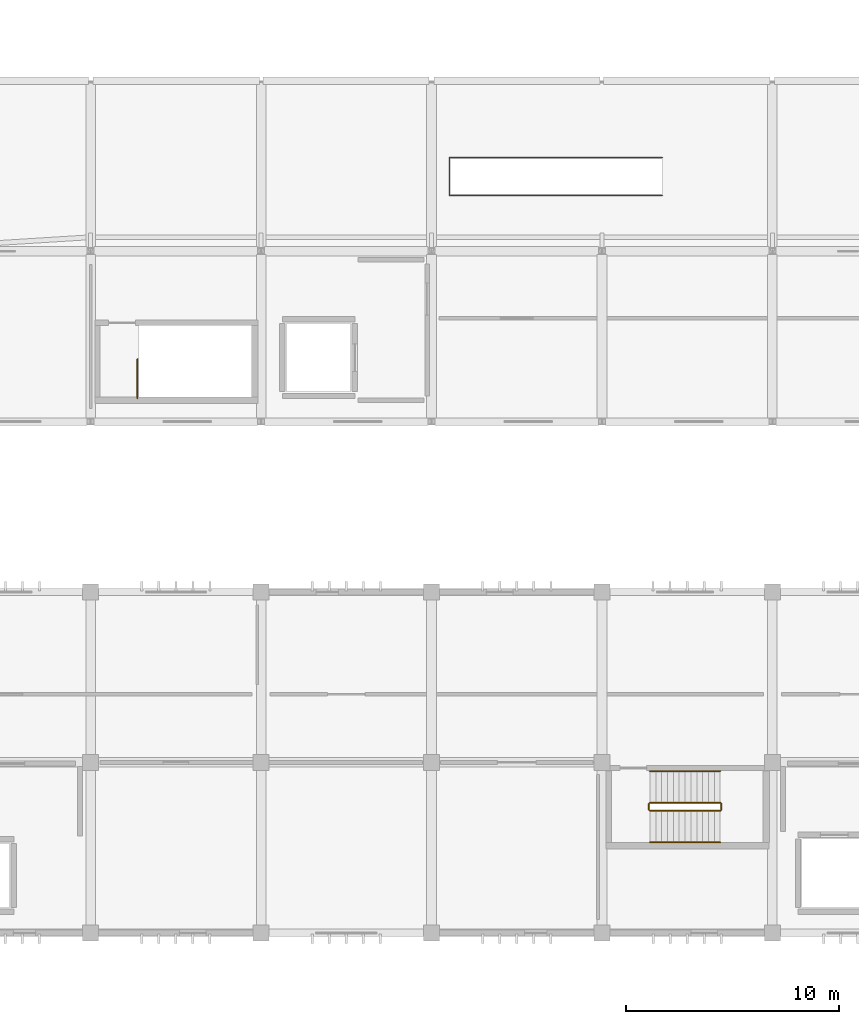
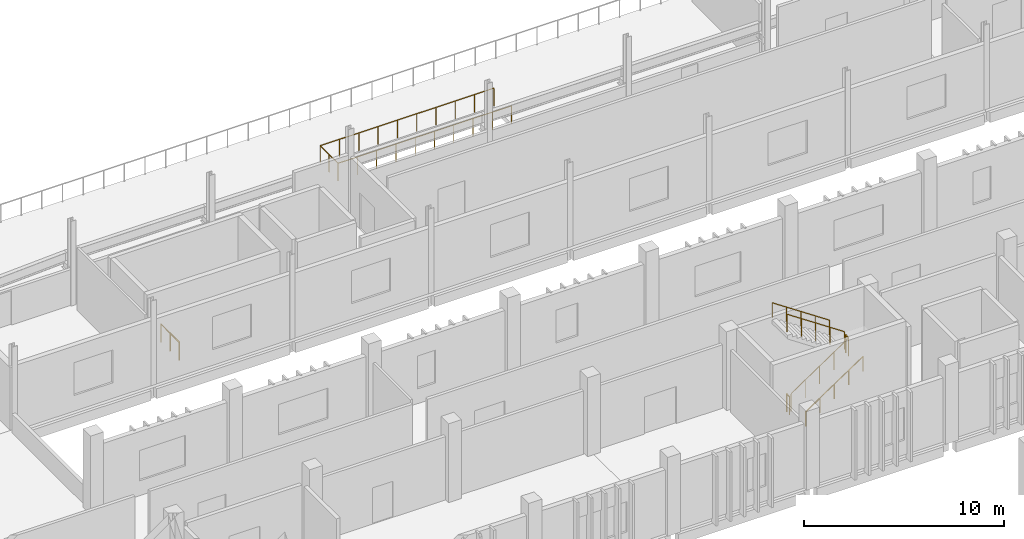
# One storey, part 103 of 106: 8 railings.
"""IFC4 building model written with IfcOpenShell, lengths in metres."""

from ifc_helpers import new_model, si_unit, direction, frame, origin, origin_2d, place, context, subcontext, project, spatial, circle, extrude, material, type_object, element, save


model = new_model("IFC4")

# Units and contexts
model_context = context("Model", 3, precision=1e-05, world=origin(), true_north=direction((0.0, 1.0)))
body_context = subcontext(model_context, "Body", "Model", "MODEL_VIEW")
ifc_project = project(units=[si_unit("LENGTHUNIT", "METRE"), si_unit("AREAUNIT", "SQUARE_METRE"), si_unit("VOLUMEUNIT", "CUBIC_METRE"), si_unit("PLANEANGLEUNIT", "RADIAN"), si_unit("MASSUNIT", "GRAM", prefix="KILO")], contexts=[model_context])

# Site, building, storey
site_placement = place(None, origin())
site = spatial("IfcSite", under=ifc_project, at=site_placement, CompositionType="ELEMENT")
building_placement = place(site_placement, origin())
building = spatial("IfcBuilding", under=site, at=building_placement, Name="Jelvoka-Kovrelna Polytechnic", CompositionType="ELEMENT")
storey_placement = place(building_placement, frame((0.0, 0.0, 4.800048828125)))
storey = spatial("IfcBuildingStorey", under=building, at=storey_placement, Name="L02", CompositionType="ELEMENT", Elevation=4.800048828125)

# Railings
ifc_material_1 = material(Name="Powder-coated steel stair guard", Category="steel")
railing_type_1 = type_object("IfcRailingType", Name="Railing_Stair_Guard_1100", PredefinedType="GUARDRAIL", material=ifc_material_1)
railing_1_placement = place(storey_placement, frame((98.199951171875, 81.10009765625, 0.0)))
element("IfcRailing", 1, at=railing_1_placement, inside=storey, type_object=railing_type_1, Name="L02 ST01 top well guard 1", PredefinedType="GUARDRAIL", context=body_context, shape_type="SweptSolid", body=[
    extrude(circle(Radius=0.02392578125, at=origin_2d()), frame((0.0, 0.0, 1.076171875), z_axis=(0.0, 1.0, 0.0), x_axis=(-1.0, 0.0, 0.0)), (0.0, 0.0, 1.0), 1.81982421875),
    extrude(circle(Radius=0.02099609375, at=origin_2d()), origin(), (0.0, 0.0, 1.0), 1.052001953125),
    extrude(circle(Radius=0.02099609375, at=origin_2d()), frame((0.0, 0.909912109375, 0.0)), (0.0, 0.0, 1.0), 1.052001953125),
    extrude(circle(Radius=0.02099609375, at=origin_2d()), frame((0.0, 1.81982421875, 0.0)), (0.0, 0.0, 1.0), 1.052001953125),
])
railing_2_placement = place(storey_placement, frame((122.25, 61.72998046875, 0.1845703125)))
element("IfcRailing", 2, at=railing_2_placement, inside=storey, type_object=railing_type_1, Name="L02 ST11 stair guard 1", PredefinedType="GUARDRAIL", context=body_context, shape_type="SweptSolid", body=[
    extrude(circle(Radius=0.02392578125, at=origin_2d()), frame((0.0, 0.0, 1.076171875), z_axis=(0.830269453126, 0.0, 0.557362211857), x_axis=(0.0, 1.0, 0.0)), (0.0, 0.0, 1.0), 3.974609375),
    extrude(circle(Radius=0.02099609375, at=origin_2d()), origin(), (0.0, 0.0, 1.0), 1.052001953125),
    extrude(circle(Radius=0.02099609375, at=origin_2d()), frame((0.824951171875, 0.0, 0.5537109375)), (0.0, 0.0, 1.0), 1.052001953125),
    extrude(circle(Radius=0.02099609375, at=origin_2d()), frame((1.64990234375, 0.0, 1.107666015625)), (0.0, 0.0, 1.0), 1.052001953125),
    extrude(circle(Radius=0.02099609375, at=origin_2d()), frame((2.47509765625, 0.0, 1.66162109375)), (0.0, 0.0, 1.0), 1.052001953125),
    extrude(circle(Radius=0.02099609375, at=origin_2d()), frame((3.300048828125, 0.0, 2.21533203125)), (0.0, 0.0, 1.0), 1.052001953125),
])
railing_3_placement = place(storey_placement, frame((125.60009765625, 61.780029296875, 2.39990234375)))
element("IfcRailing", 3, at=railing_3_placement, inside=storey, type_object=railing_type_1, Name="L02 ST11 stair guard 2", PredefinedType="GUARDRAIL", context=body_context, shape_type="SweptSolid", body=[
    extrude(circle(Radius=0.02392578125, at=origin_2d()), frame((0.0, 0.0, 1.076171875), z_axis=(0.0, 1.0, 0.0), x_axis=(-1.0, 0.0, 0.0)), (0.0, 0.0, 1.0), 0.280029296875),
    extrude(circle(Radius=0.02099609375, at=origin_2d()), origin(), (0.0, 0.0, 1.0), 1.052001953125),
    extrude(circle(Radius=0.02099609375, at=origin_2d()), frame((0.0, 0.280029296875, 0.0)), (0.0, 0.0, 1.0), 1.052001953125),
])
railing_4_placement = place(storey_placement, frame((125.550048828125, 62.110107421875, 2.58447265625)))
element("IfcRailing", 4, at=railing_4_placement, inside=storey, type_object=railing_type_1, Name="L02 ST11 stair guard 3", PredefinedType="GUARDRAIL", context=body_context, shape_type="SweptSolid", body=[
    extrude(circle(Radius=0.02392578125, at=origin_2d()), frame((0.0, 0.0, 1.076171875), z_axis=(-0.830241028356, 0.0, 0.557404552218), x_axis=(0.0, -1.0, 0.0)), (0.0, 0.0, 1.0), 3.974853515625),
    extrude(circle(Radius=0.02099609375, at=origin_2d()), origin(), (0.0, 0.0, 1.0), 1.052001953125),
    extrude(circle(Radius=0.02099609375, at=origin_2d()), frame((-0.824951171875, 0.0, 0.553955078125)), (0.0, 0.0, 1.0), 1.052001953125),
    extrude(circle(Radius=0.02099609375, at=origin_2d()), frame((-1.64990234375, 0.0, 1.10791015625)), (0.0, 0.0, 1.0), 1.052001953125),
    extrude(circle(Radius=0.02099609375, at=origin_2d()), frame((-2.47509765625, 0.0, 1.66162109375)), (0.0, 0.0, 1.0), 1.052001953125),
    extrude(circle(Radius=0.02099609375, at=origin_2d()), frame((-3.300048828125, 0.0, 2.215576171875)), (0.0, 0.0, 1.0), 1.052001953125),
])
railing_5_placement = place(storey_placement, frame((122.199951171875, 61.780029296875, 0.0)))
element("IfcRailing", 5, at=railing_5_placement, inside=storey, type_object=railing_type_1, Name="L02 ST11 stair guard 4", PredefinedType="GUARDRAIL", context=body_context, shape_type="SweptSolid", body=[
    extrude(circle(Radius=0.02392578125, at=origin_2d()), frame((0.0, 0.0, 1.076171875), z_axis=(0.0, 1.0, 0.0), x_axis=(-1.0, 0.0, 0.0)), (0.0, 0.0, 1.0), 0.280029296875),
    extrude(circle(Radius=0.02099609375, at=origin_2d()), origin(), (0.0, 0.0, 1.0), 1.052001953125),
    extrude(circle(Radius=0.02099609375, at=origin_2d()), frame((0.0, 0.280029296875, 0.0)), (0.0, 0.0, 1.0), 1.052001953125),
])
railing_6_placement = place(storey_placement, frame((122.840087890625, 92.385009765625, 0.0)))
element("IfcRailing", 6, at=railing_6_placement, inside=storey, type_object=railing_type_1, Name="L02 ST12 stairwell perimeter guard", PredefinedType="GUARDRAIL", context=body_context, shape_type="SweptSolid", body=[
    extrude(circle(Radius=0.02392578125, at=origin_2d()), frame((0.0, 0.0, 1.076171875), z_axis=(-1.0, 0.0, 0.0), x_axis=(0.0, -1.0, 0.0)), (0.0, 0.0, 1.0), 10.0),
    extrude(circle(Radius=0.02392578125, at=origin_2d()), frame((-10.0, 0.0, 1.076171875), z_axis=(0.0, -1.0, 0.0), x_axis=(1.0, 0.0, 0.0)), (0.0, 0.0, 1.0), 1.77001953125),
    extrude(circle(Radius=0.02392578125, at=origin_2d()), frame((-10.0, -1.77001953125, 1.076171875), z_axis=(1.0, 0.0, 0.0), x_axis=(0.0, 1.0, 0.0)), (0.0, 0.0, 1.0), 10.0),
    extrude(circle(Radius=0.02099609375, at=origin_2d()), origin(), (0.0, 0.0, 1.0), 1.052001953125),
    extrude(circle(Radius=0.02099609375, at=origin_2d()), frame((-1.111083984375, 0.0, 0.0)), (0.0, 0.0, 1.0), 1.052001953125),
    extrude(circle(Radius=0.02099609375, at=origin_2d()), frame((-2.22216796875, 0.0, 0.0)), (0.0, 0.0, 1.0), 1.052001953125),
    extrude(circle(Radius=0.02099609375, at=origin_2d()), frame((-3.333251953125, 0.0, 0.0)), (0.0, 0.0, 1.0), 1.052001953125),
    extrude(circle(Radius=0.02099609375, at=origin_2d()), frame((-4.4443359375, 0.0, 0.0)), (0.0, 0.0, 1.0), 1.052001953125),
    extrude(circle(Radius=0.02099609375, at=origin_2d()), frame((-5.5556640625, 0.0, 0.0)), (0.0, 0.0, 1.0), 1.052001953125),
    extrude(circle(Radius=0.02099609375, at=origin_2d()), frame((-6.666748046875, 0.0, 0.0)), (0.0, 0.0, 1.0), 1.052001953125),
    extrude(circle(Radius=0.02099609375, at=origin_2d()), frame((-7.77783203125, 0.0, 0.0)), (0.0, 0.0, 1.0), 1.052001953125),
    extrude(circle(Radius=0.02099609375, at=origin_2d()), frame((-8.888916015625, 0.0, 0.0)), (0.0, 0.0, 1.0), 1.052001953125),
    extrude(circle(Radius=0.02099609375, at=origin_2d()), frame((-10.0, 0.0, 0.0)), (0.0, 0.0, 1.0), 1.052001953125),
    extrude(circle(Radius=0.02099609375, at=origin_2d()), frame((-10.0, -0.885009765625, 0.0)), (0.0, 0.0, 1.0), 1.052001953125),
    extrude(circle(Radius=0.02099609375, at=origin_2d()), frame((-10.0, -1.77001953125, 0.0)), (0.0, 0.0, 1.0), 1.052001953125),
    extrude(circle(Radius=0.02099609375, at=origin_2d()), frame((-8.888916015625, -1.77001953125, 0.0)), (0.0, 0.0, 1.0), 1.052001953125),
    extrude(circle(Radius=0.02099609375, at=origin_2d()), frame((-7.77783203125, -1.77001953125, 0.0)), (0.0, 0.0, 1.0), 1.052001953125),
    extrude(circle(Radius=0.02099609375, at=origin_2d()), frame((-6.666748046875, -1.77001953125, 0.0)), (0.0, 0.0, 1.0), 1.052001953125),
    extrude(circle(Radius=0.02099609375, at=origin_2d()), frame((-5.5556640625, -1.77001953125, 0.0)), (0.0, 0.0, 1.0), 1.052001953125),
    extrude(circle(Radius=0.02099609375, at=origin_2d()), frame((-4.4443359375, -1.77001953125, 0.0)), (0.0, 0.0, 1.0), 1.052001953125),
    extrude(circle(Radius=0.02099609375, at=origin_2d()), frame((-3.333251953125, -1.77001953125, 0.0)), (0.0, 0.0, 1.0), 1.052001953125),
    extrude(circle(Radius=0.02099609375, at=origin_2d()), frame((-2.22216796875, -1.77001953125, 0.0)), (0.0, 0.0, 1.0), 1.052001953125),
    extrude(circle(Radius=0.02099609375, at=origin_2d()), frame((-1.111083984375, -1.77001953125, 0.0)), (0.0, 0.0, 1.0), 1.052001953125),
    extrude(circle(Radius=0.02099609375, at=origin_2d()), frame((0.0, -1.77001953125, 0.0)), (0.0, 0.0, 1.0), 1.052001953125),
])
ifc_material_2 = material(Name="Brushed stainless steel handrail", Category="steel")
railing_type_2 = type_object("IfcRailingType", Name="Railing_Stair_Handrail_900", PredefinedType="HANDRAIL", material=ifc_material_2)
railing_7_placement = place(storey_placement, frame((122.25, 60.25, 0.1845703125)))
element("IfcRailing", 7, at=railing_7_placement, inside=storey, type_object=railing_type_2, Name="L02 ST11 stair handrail 1", PredefinedType="HANDRAIL", context=body_context, shape_type="SweptSolid", body=[
    extrude(circle(Radius=0.02392578125, at=origin_2d()), frame((0.0, 0.0, 0.8759765625), z_axis=(0.830269453126, 0.0, 0.557362211857), x_axis=(0.0, 1.0, 0.0)), (0.0, 0.0, 1.0), 3.974609375),
    extrude(circle(Radius=0.02099609375, at=origin_2d()), origin(), (0.0, 0.0, 1.0), 0.851806640625),
    extrude(circle(Radius=0.02099609375, at=origin_2d()), frame((0.824951171875, 0.0, 0.5537109375)), (0.0, 0.0, 1.0), 0.851806640625),
    extrude(circle(Radius=0.02099609375, at=origin_2d()), frame((1.64990234375, 0.0, 1.107666015625)), (0.0, 0.0, 1.0), 0.851806640625),
    extrude(circle(Radius=0.02099609375, at=origin_2d()), frame((2.47509765625, 0.0, 1.66162109375)), (0.0, 0.0, 1.0), 0.851806640625),
    extrude(circle(Radius=0.02099609375, at=origin_2d()), frame((3.300048828125, 0.0, 2.21533203125)), (0.0, 0.0, 1.0), 0.851806640625),
])
railing_8_placement = place(storey_placement, frame((125.550048828125, 63.590087890625, 2.58447265625)))
element("IfcRailing", 8, at=railing_8_placement, inside=storey, type_object=railing_type_2, Name="L02 ST11 stair handrail 2", PredefinedType="HANDRAIL", context=body_context, shape_type="SweptSolid", body=[
    extrude(circle(Radius=0.02392578125, at=origin_2d()), frame((0.0, 0.0, 0.8759765625), z_axis=(-0.830241028356, 0.0, 0.557404552218), x_axis=(0.0, -1.0, 0.0)), (0.0, 0.0, 1.0), 3.974853515625),
    extrude(circle(Radius=0.02099609375, at=origin_2d()), origin(), (0.0, 0.0, 1.0), 0.851806640625),
    extrude(circle(Radius=0.02099609375, at=origin_2d()), frame((-0.824951171875, 0.0, 0.553955078125)), (0.0, 0.0, 1.0), 0.851806640625),
    extrude(circle(Radius=0.02099609375, at=origin_2d()), frame((-1.64990234375, 0.0, 1.10791015625)), (0.0, 0.0, 1.0), 0.851806640625),
    extrude(circle(Radius=0.02099609375, at=origin_2d()), frame((-2.47509765625, 0.0, 1.66162109375)), (0.0, 0.0, 1.0), 0.851806640625),
    extrude(circle(Radius=0.02099609375, at=origin_2d()), frame((-3.300048828125, 0.0, 2.215576171875)), (0.0, 0.0, 1.0), 0.851806640625),
])

save(model, "model.ifc")
